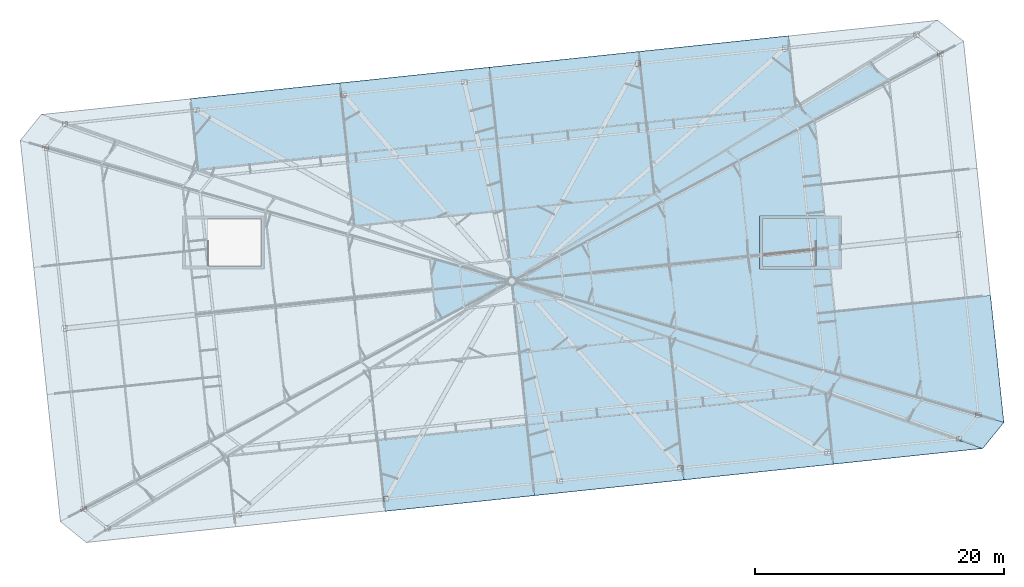
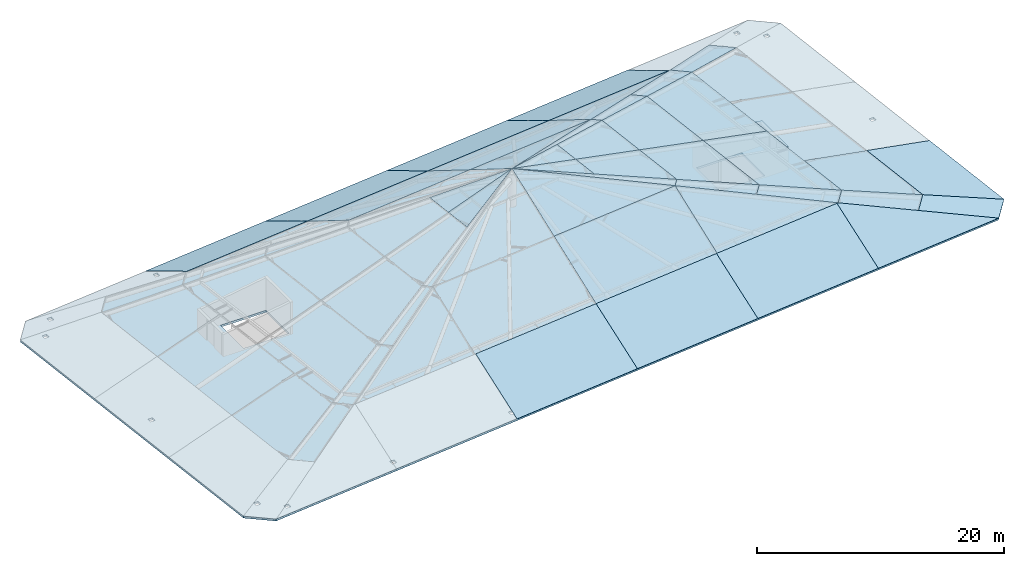
# One storey, part 5 of 20: 36 plates, 2 slabs, 25 elements without a shape of their own.
"""IFC4 building model written with IfcOpenShell, lengths in metres."""

from ifc_helpers import new_model, si_unit, direction, frame, origin, place, context, subcontext, project, spatial, polyline, outline, extrude, material, layer, layer_set, type_object, element, aggregate, save


model = new_model("IFC4")

# Units and contexts
model_context = context("Model", 3, precision=1e-05, world=origin(), true_north=direction((0.0, 1.0)))
body_context = subcontext(model_context, "Body", "Model", "MODEL_VIEW")
ifc_project = project(units=[si_unit("LENGTHUNIT", "METRE"), si_unit("AREAUNIT", "SQUARE_METRE"), si_unit("VOLUMEUNIT", "CUBIC_METRE"), si_unit("PLANEANGLEUNIT", "RADIAN"), si_unit("MASSUNIT", "GRAM", prefix="KILO")], contexts=[model_context])

# Site, building, storey
site_placement = place(None, origin())
site = spatial("IfcSite", under=ifc_project, at=site_placement, CompositionType="ELEMENT")
building_placement = place(site_placement, origin())
building = spatial("IfcBuilding", under=site, at=building_placement, Name="Hakoniwa Tower and Hamabe Station Hall", CompositionType="ELEMENT")
storey_placement = place(building_placement, frame((0.0, 0.0, 285.0)))
storey = spatial("IfcBuildingStorey", under=building, at=storey_placement, Name="Roof", CompositionType="ELEMENT", Elevation=285.0)

# Slab
ifc_material_1 = material(Name="Concrete C40", Category="concrete")
ifc_layer_1 = layer(ifc_material_1, 0.199951171875)
ifc_layer_set_1 = layer_set([ifc_layer_1], Name="CROWN ROOF SLAB 200")
slab_type_1 = type_object("IfcSlabType", Name="CROWN ROOF SLAB 200", PredefinedType="ROOF", material=ifc_layer_set_1)
slab_1_placement = place(storey_placement, frame((0.0, 0.0, -0.199951171875)))
element("IfcSlab", 1, at=slab_1_placement, inside=storey, type_object=slab_type_1, Name="Roof slab L78-1", PredefinedType="ROOF", context=body_context, shape_type="SweptSolid", body=[
    extrude(outline(polyline([(36.25390625, 21.772705078125), (34.17431640625, 23.45703125), (-37.78466796875, 15.893798828125), (-39.46875, 13.81396484375), (-36.25390625, -16.772705078125), (-34.17431640625, -18.45703125), (37.78466796875, -10.893798828125), (39.46875, -8.81396484375), (36.25390625, 21.772705078125)]), holes=[polyline([(34.180419921875, 20.572509765625), (34.180419921875, 20.988037109375), (34.59619140625, 20.988037109375), (34.59619140625, 20.572509765625), (34.180419921875, 20.572509765625)]), polyline([(32.267578125, 22.12158203125), (32.267578125, 22.537353515625), (32.68310546875, 22.537353515625), (32.68310546875, 22.12158203125), (32.267578125, 22.12158203125)]), polyline([(21.708984375, 21.011962890625), (21.708984375, 21.427490234375), (22.12451171875, 21.427490234375), (22.12451171875, 21.011962890625), (21.708984375, 21.011962890625)]), polyline([(9.897216796875, 19.7705078125), (9.897216796875, 20.18603515625), (10.31298828125, 20.18603515625), (10.31298828125, 19.7705078125), (9.897216796875, 19.7705078125)]), polyline([(-4.04052734375, 18.305419921875), (-4.04052734375, 18.72119140625), (-3.625, 18.72119140625), (-3.625, 18.305419921875), (-4.04052734375, 18.305419921875)]), polyline([(-13.72607421875, 17.28759765625), (-13.72607421875, 17.703125), (-13.310302734375, 17.703125), (-13.310302734375, 17.28759765625), (-13.72607421875, 17.28759765625)]), polyline([(-25.53759765625, 16.046142578125), (-25.53759765625, 16.461669921875), (-25.1220703125, 16.461669921875), (-25.1220703125, 16.046142578125), (-25.53759765625, 16.046142578125)]), polyline([(-36.09619140625, 14.936279296875), (-36.09619140625, 15.351806640625), (-35.6806640625, 15.351806640625), (-35.6806640625, 14.936279296875), (-36.09619140625, 14.936279296875)]), polyline([(-37.6455078125, 13.023193359375), (-37.6455078125, 13.43896484375), (-37.229736328125, 13.43896484375), (-37.229736328125, 13.023193359375), (-37.6455078125, 13.023193359375)]), polyline([(-36.120849609375, -1.482421875), (-36.120849609375, -1.06689453125), (-35.705078125, -1.06689453125), (-35.705078125, -1.482421875), (-36.120849609375, -1.482421875)]), polyline([(-34.59619140625, -15.988037109375), (-34.59619140625, -15.572509765625), (-34.180419921875, -15.572509765625), (-34.180419921875, -15.988037109375), (-34.59619140625, -15.988037109375)]), polyline([(-32.68310546875, -17.537353515625), (-32.68310546875, -17.12158203125), (-32.267578125, -17.12158203125), (-32.267578125, -17.537353515625), (-32.68310546875, -17.537353515625)]), polyline([(-22.12451171875, -16.427490234375), (-22.12451171875, -16.011962890625), (-21.708984375, -16.011962890625), (-21.708984375, -16.427490234375), (-22.12451171875, -16.427490234375)]), polyline([(-10.31298828125, -15.18603515625), (-10.31298828125, -14.7705078125), (-9.897216796875, -14.7705078125), (-9.897216796875, -15.18603515625), (-10.31298828125, -15.18603515625)]), polyline([(3.625, -13.72119140625), (3.625, -13.305419921875), (4.04052734375, -13.305419921875), (4.04052734375, -13.72119140625), (3.625, -13.72119140625)]), polyline([(13.310302734375, -12.703125), (13.310302734375, -12.28759765625), (13.72607421875, -12.28759765625), (13.72607421875, -12.703125), (13.310302734375, -12.703125)]), polyline([(25.1220703125, -11.461669921875), (25.1220703125, -11.046142578125), (25.53759765625, -11.046142578125), (25.53759765625, -11.461669921875), (25.1220703125, -11.461669921875)]), polyline([(35.6806640625, -10.351806640625), (35.6806640625, -9.936279296875), (36.09619140625, -9.936279296875), (36.09619140625, -10.351806640625), (35.6806640625, -10.351806640625)]), polyline([(37.229736328125, -8.43896484375), (37.229736328125, -8.023193359375), (37.6455078125, -8.023193359375), (37.6455078125, -8.43896484375), (37.229736328125, -8.43896484375)]), polyline([(35.705078125, 6.06689453125), (35.705078125, 6.482421875), (36.120849609375, 6.482421875), (36.120849609375, 6.06689453125), (35.705078125, 6.06689453125)]), polyline([(-20.14990234375, 3.75), (-24.389892578125, 3.75), (-24.389892578125, 7.5), (-20.14990234375, 7.5), (-20.14990234375, 3.75)]), polyline([(24.389892578125, 3.75), (20.14990234375, 3.75), (20.14990234375, 7.5), (24.389892578125, 7.5), (24.389892578125, 3.75)])]), origin(), (0.0, 0.0, 1.0), 0.199951171875),
])

# Curtain wall, plate
ifc_material_2 = material(Name="Dark low-e laminated glass", Category="glass")
ifc_layer_2 = layer(ifc_material_2, 0.199951171875)
ifc_layer_set_2 = layer_set([ifc_layer_2], Name="CW-4 CROWN FACETS")
curtain_wall_type = type_object("IfcCurtainWallType", Name="CW-4 CROWN FACETS", PredefinedType="NOTDEFINED", material=ifc_layer_set_2)
curtain_wall_1_placement = place(storey_placement, origin())
curtain_wall_1 = element("IfcCurtainWall", 2, at=curtain_wall_1_placement, inside=storey, type_object=curtain_wall_type, Name="Crown tent facet", PredefinedType="NOTDEFINED")
ifc_material_3 = material(Name="Dark low-e laminated glass", Category="glass")
ifc_layer_3 = layer(ifc_material_3, 0.030029296875)
ifc_layer_set_3 = layer_set([ifc_layer_3], Name="CW-4 CROWN GLASS FACET")
plate_type = type_object("IfcPlateType", Name="CW-4 CROWN GLASS FACET", PredefinedType="CURTAIN_PANEL", material=ifc_layer_set_3)
plate_1_placement = place(storey_placement, frame((24.309326171875, 15.423095703125, 3.199951171875), z_axis=(0.156275623419, 0.192977055734, 0.968678370505), x_axis=(-0.777155511873, 0.629308597027, 8.611639e-06)))
plate_1 = element("IfcPlate", 3, at=plate_1_placement, type_object=plate_type, Name="Crown glass facet", PredefinedType="CURTAIN_PANEL", context=body_context, shape_type="SweptSolid", body=[
    extrude(outline(polyline([(0.0, 0.0), (1.8097943137275903, 1.1102230246251565e-16), (-0.39429205688957825, -6.442727154376696), (-2.64966305367849, -6.442586175356202), (0.0, 0.0)])), origin(), (0.0, 0.0, -1.0), 0.030029296875),
])
aggregate(curtain_wall_1, [plate_1])

# Curtain wall, plates
curtain_wall_2_placement = place(storey_placement, origin())
curtain_wall_2 = element("IfcCurtainWall", 4, at=curtain_wall_2_placement, inside=storey, type_object=curtain_wall_type, Name="Crown tent facet", PredefinedType="NOTDEFINED")
plate_2_placement = place(storey_placement, frame((-1.211669921875, 14.027587890625, 3.199951171875), z_axis=(-0.051104989072, 0.486271714197, 0.872311928191), x_axis=(-0.091170205386, 0.86753449137, -0.488949792855)))
plate_2 = element("IfcPlate", 5, at=plate_2_placement, type_object=plate_type, Name="Crown glass facet", PredefinedType="CURTAIN_PANEL", context=body_context, shape_type="SweptSolid", body=[
    extrude(outline(polyline([(0.0, 0.0), (6.54464527544407, -4.6059957605794344e-17), (6.544584985052724, -12.063375354491209), (0.00015151002158542148, -12.06340087124694), (0.0, 0.0)])), origin(), (0.0, 0.0, -1.0), 0.030029296875),
])
plate_3_placement = place(storey_placement, frame((-25.2060546875, 11.505615234375, 3.199951171875), z_axis=(-0.051109483138, 0.486262450367, 0.872316828966), x_axis=(-0.091170717622, 0.867539365325, -0.488941049473)))
plate_3 = element("IfcPlate", 6, at=plate_3_placement, type_object=plate_type, Name="Crown glass facet", PredefinedType="CURTAIN_PANEL", context=body_context, shape_type="SweptSolid", body=[
    extrude(outline(polyline([(0.0, 0.0), (6.544645275710288, -7.598901976407779e-17), (6.544819044740286, -12.063158067958506), (0.00015151055401529945, -12.063400871391359), (0.0, 0.0)])), origin(), (0.0, 0.0, -1.0), 0.030029296875),
])
aggregate(curtain_wall_2, [plate_2, plate_3])

curtain_wall_3_placement = place(storey_placement, origin())
curtain_wall_3 = element("IfcCurtainWall", 7, at=curtain_wall_3_placement, inside=storey, type_object=curtain_wall_type, Name="Crown tent facet", PredefinedType="NOTDEFINED")
plate_4_placement = place(storey_placement, frame((10.78564453125, 15.28857421875, 3.199951171875), z_axis=(-0.051111137212, 0.486278187451, 0.872307959417), x_axis=(-0.091173668223, 0.867530136829, -0.488956873267)))
plate_4 = element("IfcPlate", 8, at=plate_4_placement, type_object=plate_type, Name="Crown glass facet", PredefinedType="CURTAIN_PANEL", context=body_context, shape_type="SweptSolid", body=[
    extrude(outline(polyline([(0.0, 0.0), (6.544433475347111, 4.975640938761211e-17), (6.54456020880297, -12.063158068544356), (0.00010447425951642941, -12.063400871890416), (0.0, 0.0)])), origin(), (0.0, 0.0, -1.0), 0.030029296875),
])
plate_5_placement = place(storey_placement, frame((-13.208740234375, 12.7666015625, 3.199951171875), z_axis=(-0.051109483138, 0.486262450367, 0.872316828966), x_axis=(-0.09120761379, 0.867535487123, -0.488941049381)))
plate_5 = element("IfcPlate", 9, at=plate_5_placement, type_object=plate_type, Name="Crown glass facet", PredefinedType="CURTAIN_PANEL", context=body_context, shape_type="SweptSolid", body=[
    extrude(outline(polyline([(0.0, 0.0), (6.544667538690205, -9.032759349519859e-17), (6.5443715039522985, -12.06340086871048), (-0.0002737672540709113, -12.063158066103568), (0.0, 0.0)])), origin(), (0.0, 0.0, -1.0), 0.030029296875),
])
aggregate(curtain_wall_3, [plate_4, plate_5])

curtain_wall_4_placement = place(storey_placement, origin())
curtain_wall_4 = element("IfcCurtainWall", 10, at=curtain_wall_4_placement, inside=storey, type_object=curtain_wall_type, Name="Crown tent facet", PredefinedType="NOTDEFINED")
plate_6_placement = place(storey_placement, frame((1.211669921875, -9.027587890625, 3.199951171875), z_axis=(0.051104989072, -0.486271714197, 0.872311928191), x_axis=(0.091170205386, -0.86753449137, -0.488949792855)))
plate_6 = element("IfcPlate", 11, at=plate_6_placement, type_object=plate_type, Name="Crown glass facet", PredefinedType="CURTAIN_PANEL", context=body_context, shape_type="SweptSolid", body=[
    extrude(outline(polyline([(0.0, 0.0), (6.54464527544407, -4.6059957605794344e-17), (6.544584985052724, -12.063375354491209), (0.00015151002158542148, -12.06340087124694), (0.0, 0.0)])), origin(), (0.0, 0.0, -1.0), 0.030029296875),
])
plate_7_placement = place(storey_placement, frame((25.2060546875, -6.505615234375, 3.199951171875), z_axis=(0.051109483138, -0.486262450367, 0.872316828966), x_axis=(0.091170717622, -0.867539365325, -0.488941049473)))
plate_7 = element("IfcPlate", 12, at=plate_7_placement, type_object=plate_type, Name="Crown glass facet", PredefinedType="CURTAIN_PANEL", context=body_context, shape_type="SweptSolid", body=[
    extrude(outline(polyline([(0.0, 0.0), (6.544645275710288, -7.598901976407779e-17), (6.544819044740286, -12.063158067958506), (0.00015151055401529945, -12.063400871391359), (0.0, 0.0)])), origin(), (0.0, 0.0, -1.0), 0.030029296875),
])
aggregate(curtain_wall_4, [plate_6, plate_7])

curtain_wall_5_placement = place(storey_placement, origin())
curtain_wall_5 = element("IfcCurtainWall", 13, at=curtain_wall_5_placement, inside=storey, type_object=curtain_wall_type, Name="Crown tent facet", PredefinedType="NOTDEFINED")
plate_8_placement = place(storey_placement, frame((13.208740234375, -7.7666015625, 3.199951171875), z_axis=(0.051109483138, -0.486262450367, 0.872316828966), x_axis=(0.09120761379, -0.867535487123, -0.488941049381)))
plate_8 = element("IfcPlate", 14, at=plate_8_placement, type_object=plate_type, Name="Crown glass facet", PredefinedType="CURTAIN_PANEL", context=body_context, shape_type="SweptSolid", body=[
    extrude(outline(polyline([(0.0, 0.0), (6.544667538690205, -9.032759349519859e-17), (6.5443715039522985, -12.06340086871048), (-0.0002737672540709113, -12.063158066103568), (0.0, 0.0)])), origin(), (0.0, 0.0, -1.0), 0.030029296875),
])
plate_9_placement = place(storey_placement, frame((25.326171875, -6.492919921875, 3.199951171875), z_axis=(0.051111374717, -0.486258551143, 0.872318891699), x_axis=(0.915966253191, -0.325256224593, -0.234977044365)))
plate_9 = element("IfcPlate", 15, at=plate_9_placement, type_object=plate_type, Name="Crown glass facet", PredefinedType="CURTAIN_PANEL", context=body_context, shape_type="SweptSolid", body=[
    extrude(outline(polyline([(0.0, 0.0), (13.618269428119445, 6.661338147750939e-16), (3.0392779124844047, -5.79746316226815), (-0.10589406076444983, -0.05810126023931689), (0.0, 0.0)])), origin(), (0.0, 0.0, -1.0), 0.030029296875),
])
aggregate(curtain_wall_5, [plate_8, plate_9])

# Curtain wall, plate
curtain_wall_6_placement = place(storey_placement, origin())
curtain_wall_6 = element("IfcCurtainWall", 16, at=curtain_wall_6_placement, inside=storey, type_object=curtain_wall_type, Name="Crown tent facet", PredefinedType="NOTDEFINED")
plate_10_placement = place(storey_placement, frame((31.56298828125, -8.707763671875, 1.60009765625), z_axis=(0.193009015003, -0.156298401869, 0.968668328016), x_axis=(0.629305512859, 0.777158009309, 7.141435e-06)))
plate_10 = element("IfcPlate", 17, at=plate_10_placement, type_object=plate_type, Name="Crown glass facet", PredefinedType="CURTAIN_PANEL", context=body_context, shape_type="SweptSolid", body=[
    extrude(outline(polyline([(0.0, 0.0), (2.255560732081574, 4.440892098500626e-16), (4.905048749923688, -6.442848716333062), (2.2039113353528084, -6.4427061884267385), (0.0, 0.0)])), origin(), (0.0, 0.0, -1.0), 0.030029296875),
])
aggregate(curtain_wall_6, [plate_10])

curtain_wall_7_placement = place(storey_placement, origin())
curtain_wall_7 = element("IfcCurtainWall", 18, at=curtain_wall_7_placement, inside=storey, type_object=curtain_wall_type, Name="Crown tent facet", PredefinedType="NOTDEFINED")
plate_11_placement = place(storey_placement, frame((25.326171875, -6.492919921875, 3.199951171875), z_axis=(0.192987069793, -0.156271656314, 0.968677015483), x_axis=(0.629306785911, 0.777156978484, -4.79386e-07)))
plate_11 = element("IfcPlate", 19, at=plate_11_placement, type_object=plate_type, Name="Crown glass facet", PredefinedType="CURTAIN_PANEL", context=body_context, shape_type="SweptSolid", body=[
    extrude(outline(polyline([(0.0, 0.0), (1.8097943137988861, 1.1102230246251565e-16), (4.459151109448764, -6.442595076379921), (2.203590377319723, -6.4426029244882095), (0.0, 0.0)])), origin(), (0.0, 0.0, -1.0), 0.030029296875),
])
aggregate(curtain_wall_7, [plate_11])

curtain_wall_8_placement = place(storey_placement, origin())
curtain_wall_8 = element("IfcCurtainWall", 20, at=curtain_wall_8_placement, inside=storey, type_object=curtain_wall_type, Name="Crown tent facet", PredefinedType="NOTDEFINED")
plate_12_placement = place(storey_placement, frame((39.5, -8.8232421875, 0.0), z_axis=(0.24531355879, 0.025782289242, 0.969100888161), x_axis=(-0.935578747374, 0.26820468975, 0.229692515896)))
plate_12 = element("IfcPlate", 21, at=plate_12_placement, type_object=plate_type, Name="Crown glass facet", PredefinedType="CURTAIN_PANEL", context=body_context, shape_type="SweptSolid", body=[
    extrude(outline(polyline([(0.0, 0.0), (6.966353876887034, -4.718447854656915e-16), (9.780593440532725, -7.18931303128879), (3.740139757151904, -9.5540744229771), (0.0, 0.0)])), origin(), (0.0, 0.0, -1.0), 0.030029296875),
])
aggregate(curtain_wall_8, [plate_12])

curtain_wall_9_placement = place(storey_placement, origin())
curtain_wall_9 = element("IfcCurtainWall", 22, at=curtain_wall_9_placement, inside=storey, type_object=curtain_wall_type, Name="Crown tent facet", PredefinedType="NOTDEFINED")
plate_13_placement = place(storey_placement, frame((25.92333984375, 0.06640625, 3.199951171875), z_axis=(0.245279029764, 0.025780526684, 0.969109674909), x_axis=(0.963803194097, 0.101276675948, -0.246630164331)))
plate_13 = element("IfcPlate", 23, at=plate_13_placement, type_object=plate_type, Name="Crown glass facet", PredefinedType="CURTAIN_PANEL", context=body_context, shape_type="SweptSolid", body=[
    extrude(outline(polyline([(0.0, 0.0), (6.486996826039873, 5.816067029026928e-17), (6.487050072599642, -7.7205029745325255), (0.00027679812774172863, -5.1812323640813425), (0.0, 0.0)])), origin(), (0.0, 0.0, -1.0), 0.030029296875),
])
aggregate(curtain_wall_9, [plate_13])

# Curtain wall, plates
curtain_wall_10_placement = place(storey_placement, origin())
curtain_wall_10 = element("IfcCurtainWall", 24, at=curtain_wall_10_placement, inside=storey, type_object=curtain_wall_type, Name="Crown tent facet", PredefinedType="NOTDEFINED")
plate_14_placement = place(storey_placement, frame((18.23193359375, 12.1923828125, 4.89990234375), z_axis=(0.163090639007, 0.201410845502, 0.965833896062), x_axis=(-0.777168973, 0.629291973092, 2.85355e-06)))
plate_14 = element("IfcPlate", 25, at=plate_14_placement, type_object=plate_type, Name="Crown glass facet", PredefinedType="CURTAIN_PANEL", context=body_context, shape_type="SweptSolid", body=[
    extrude(outline(polyline([(0.0, 0.0), (1.3570882044032484, 0.0), (-0.8803097964628562, -6.559408330084827), (-2.6901041099216045, -6.559373460539153), (0.0, 0.0)])), origin(), (0.0, 0.0, -1.0), 0.030029296875),
])
plate_15_placement = place(storey_placement, frame((11.451416015625, 9.531005859375, 6.60009765625), z_axis=(0.163089017348, 0.20141353772, 0.965833608467), x_axis=(0.777169454847, -0.629291378022, 0.0)))
plate_15 = element("IfcPlate", 26, at=plate_15_placement, type_object=plate_type, Name="Crown glass facet", PredefinedType="CURTAIN_PANEL", context=body_context, shape_type="SweptSolid", body=[
    extrude(outline(polyline([(0.0, 0.0), (0.9047254696061142, 0.0), (-4.475139375963145, -13.11878179063206), (0.0, 0.0)])), origin(), (0.0, 0.0, -1.0), 0.030029296875),
])
aggregate(curtain_wall_10, [plate_14, plate_15])

# Curtain wall, plate
curtain_wall_11_placement = place(storey_placement, origin())
curtain_wall_11 = element("IfcCurtainWall", 27, at=curtain_wall_11_placement, inside=storey, type_object=curtain_wall_type, Name="Crown tent facet", PredefinedType="NOTDEFINED")
plate_16_placement = place(storey_placement, frame((12.154541015625, 8.961669921875, 6.60009765625), z_axis=(0.163111299641, 0.20144105616, 0.965824106565), x_axis=(-0.777169454847, 0.629291378022, 0.0)))
plate_16 = element("IfcPlate", 28, at=plate_16_placement, type_object=plate_type, Name="Crown glass facet", PredefinedType="CURTAIN_PANEL", context=body_context, shape_type="SweptSolid", body=[
    extrude(outline(polyline([(0.0, 0.0), (0.9047254696061142, 5.551115123125783e-17), (-1.3330159054888453, -6.559436737163957), (-2.690104109898017, -6.559436737163957), (0.0, 0.0)])), origin(), (0.0, 0.0, -1.0), 0.030029296875),
])
aggregate(curtain_wall_11, [plate_16])

# Curtain wall, plates
curtain_wall_12_placement = place(storey_placement, origin())
curtain_wall_12 = element("IfcCurtainWall", 29, at=curtain_wall_12_placement, inside=storey, type_object=curtain_wall_type, Name="Crown tent facet", PredefinedType="NOTDEFINED")
plate_17_placement = place(storey_placement, frame((11.451416015625, 9.531005859375, 6.60009765625), z_axis=(-0.05289816095, 0.503261139797, 0.862513773651), x_axis=(-0.090146429737, 0.857789969056, -0.506033586032)))
plate_17 = element("IfcPlate", 30, at=plate_17_placement, type_object=plate_type, Name="Crown glass facet", PredefinedType="CURTAIN_PANEL", context=body_context, shape_type="SweptSolid", body=[
    extrude(outline(polyline([(0.0, 0.0), (6.71921109236367, 1.9535967895473183e-17), (6.719410347828714, -12.12355116499198), (0.0, 0.0)])), origin(), (0.0, 0.0, -1.0), 0.030029296875),
])
plate_18_placement = place(storey_placement, frame((-12.6630859375, 6.99658203125, 6.60009765625), z_axis=(-0.0528916809, 0.503253058234, 0.862518886442), x_axis=(-0.090146964142, 0.857795053808, -0.506024871443)))
plate_18 = element("IfcPlate", 31, at=plate_18_placement, type_object=plate_type, Name="Crown glass facet", PredefinedType="CURTAIN_PANEL", context=body_context, shape_type="SweptSolid", body=[
    extrude(outline(polyline([(0.0, 0.0), (6.719211092020707, 1.7826316594735103e-16), (6.719410348171688, -12.123551164801887), (-3.217500574415055e-05, -12.123768451187031), (0.0, 0.0)])), origin(), (0.0, 0.0, -1.0), 0.030029296875),
])
aggregate(curtain_wall_12, [plate_17, plate_18])

# Curtain wall, plate
curtain_wall_13_placement = place(storey_placement, origin())
curtain_wall_13 = element("IfcCurtainWall", 32, at=curtain_wall_13_placement, inside=storey, type_object=curtain_wall_type, Name="Crown tent facet", PredefinedType="NOTDEFINED")
plate_19_placement = place(storey_placement, frame((10.845703125, 15.294677734375, 3.199951171875), z_axis=(-0.0528916809, 0.503253058234, 0.862518886442), x_axis=(0.090146964142, -0.857795053808, 0.506024871443)))
plate_19 = element("IfcPlate", 33, at=plate_19_placement, type_object=plate_type, Name="Crown glass facet", PredefinedType="CURTAIN_PANEL", context=body_context, shape_type="SweptSolid", body=[
    extrude(outline(polyline([(0.0, 0.0), (6.719211092020707, 1.7826316594735103e-16), (6.719410348171688, -12.123551164801887), (-3.217500574415055e-05, -12.123768451187031), (0.0, 0.0)])), origin(), (0.0, 0.0, -1.0), 0.030029296875),
])
aggregate(curtain_wall_13, [plate_19])

curtain_wall_14_placement = place(storey_placement, origin())
curtain_wall_14 = element("IfcCurtainWall", 34, at=curtain_wall_14_placement, inside=storey, type_object=curtain_wall_type, Name="Crown tent facet", PredefinedType="NOTDEFINED")
plate_20_placement = place(storey_placement, frame((0.0, 2.5, 10.0), z_axis=(-0.052895335244, 0.503234256664, 0.862529632204), x_axis=(-0.090148087208, 0.857805740754, -0.506006554801)))
plate_20 = element("IfcPlate", 35, at=plate_20_placement, type_object=plate_type, Name="Crown glass facet", PredefinedType="CURTAIN_PANEL", context=body_context, shape_type="SweptSolid", body=[
    extrude(outline(polyline([(0.0, 0.0), (6.719087552307385, -2.6491802458325497e-17), (6.719286811436027, -12.123551164991916), (0.0, 0.0)])), origin(), (0.0, 0.0, -1.0), 0.030029296875),
])
aggregate(curtain_wall_14, [plate_20])

curtain_wall_15_placement = place(storey_placement, origin())
curtain_wall_15 = element("IfcCurtainWall", 36, at=curtain_wall_15_placement, inside=storey, type_object=curtain_wall_type, Name="Crown tent facet", PredefinedType="NOTDEFINED")
plate_21_placement = place(storey_placement, frame((0.0, 2.5, 10.0), z_axis=(-0.255994885916, -0.026913470531, 0.966303411713), x_axis=(-0.961011013827, -0.100995618163, -0.257405742779)))
plate_21 = element("IfcPlate", 37, at=plate_21_placement, type_object=plate_type, Name="Crown glass facet", PredefinedType="CURTAIN_PANEL", context=body_context, shape_type="SweptSolid", body=[
    extrude(outline(polyline([(0.0, 0.0), (6.604169563288811, -7.50064615452628e-17), (6.604267505898991, -2.577850059403291), (0.0, 0.0)])), origin(), (0.0, 0.0, -1.0), 0.030029296875),
])
aggregate(curtain_wall_15, [plate_21])

curtain_wall_16_placement = place(storey_placement, origin())
curtain_wall_16 = element("IfcCurtainWall", 38, at=curtain_wall_16_placement, inside=storey, type_object=curtain_wall_type, Name="Crown tent facet", PredefinedType="NOTDEFINED")
plate_22_placement = place(storey_placement, frame((-6.077392578125, -0.730712890625, 8.300048828125), z_axis=(-0.255997419906, -0.026889358552, 0.966303411666), x_axis=(-0.104462931651, 0.994528780836, 0.0)))
plate_22 = element("IfcPlate", 39, at=plate_22_placement, type_object=plate_type, Name="Crown glass facet", PredefinedType="CURTAIN_PANEL", context=body_context, shape_type="SweptSolid", body=[
    extrude(outline(polyline([(0.0, 0.0), (2.5778245461837175, 0.0), (2.5781747068421748, -6.604169554005851), (0.0, 0.0)])), origin(), (0.0, 0.0, -1.0), 0.030029296875),
])
aggregate(curtain_wall_16, [plate_22])

curtain_wall_17_placement = place(storey_placement, origin())
curtain_wall_17 = element("IfcCurtainWall", 40, at=curtain_wall_17_placement, inside=storey, type_object=curtain_wall_type, Name="Crown tent facet", PredefinedType="NOTDEFINED")
plate_23_placement = place(storey_placement, frame((12.6630859375, -1.99658203125, 6.60009765625), z_axis=(0.0528916809, -0.503253058234, 0.862518886442), x_axis=(0.090146964142, -0.857795053808, -0.506024871443)))
plate_23 = element("IfcPlate", 41, at=plate_23_placement, type_object=plate_type, Name="Crown glass facet", PredefinedType="CURTAIN_PANEL", context=body_context, shape_type="SweptSolid", body=[
    extrude(outline(polyline([(0.0, 0.0), (6.719211092020707, 1.7826316594735103e-16), (6.719410348171688, -12.123551164801887), (-3.217500574415055e-05, -12.123768451187031), (0.0, 0.0)])), origin(), (0.0, 0.0, -1.0), 0.030029296875),
])
aggregate(curtain_wall_17, [plate_23])

curtain_wall_18_placement = place(storey_placement, origin())
curtain_wall_18 = element("IfcCurtainWall", 42, at=curtain_wall_18_placement, inside=storey, type_object=curtain_wall_type, Name="Crown tent facet", PredefinedType="NOTDEFINED")
plate_24_placement = place(storey_placement, frame((25.325927734375, -6.492919921875, 3.199951171875), z_axis=(0.05289816095, -0.503261139797, 0.862513773651), x_axis=(-0.994521220766, -0.104534881485, 0.0)))
plate_24 = element("IfcPlate", 43, at=plate_24_placement, type_object=plate_type, Name="Crown glass facet", PredefinedType="CURTAIN_PANEL", context=body_context, shape_type="SweptSolid", body=[
    extrude(outline(polyline([(0.0, 0.0), (12.123551166629401, 0.0), (12.123440733678484, -6.719211091456167), (0.0, 0.0)])), origin(), (0.0, 0.0, -1.0), 0.030029296875),
])
aggregate(curtain_wall_18, [plate_24])

curtain_wall_19_placement = place(storey_placement, origin())
curtain_wall_19 = element("IfcCurtainWall", 44, at=curtain_wall_19_placement, inside=storey, type_object=curtain_wall_type, Name="Crown tent facet", PredefinedType="NOTDEFINED")
plate_25_placement = place(storey_placement, frame((12.6630859375, -1.99658203125, 6.60009765625), z_axis=(0.052884197602, -0.503235427159, 0.862529632243), x_axis=(-0.994523534097, -0.104512870633, 0.0)))
plate_25 = element("IfcPlate", 45, at=plate_25_placement, type_object=plate_type, Name="Crown glass facet", PredefinedType="CURTAIN_PANEL", context=body_context, shape_type="SweptSolid", body=[
    extrude(outline(polyline([(0.0, 0.0), (12.123768451419803, 2.220446049250313e-16), (12.123786283008014, -6.719087552283725), (0.0, 0.0)])), origin(), (0.0, 0.0, -1.0), 0.030029296875),
])
aggregate(curtain_wall_19, [plate_25])

# Curtain wall, plates
curtain_wall_20_placement = place(storey_placement, origin())
curtain_wall_20 = element("IfcCurtainWall", 46, at=curtain_wall_20_placement, inside=storey, type_object=curtain_wall_type, Name="Crown tent facet", PredefinedType="NOTDEFINED")
plate_26_placement = place(storey_placement, frame((25.326171875, -6.492919921875, 3.199951171875), z_axis=(0.201402521928, -0.163103877494, 0.965833396248), x_axis=(-0.913564037287, 0.324400515281, 0.245285660939)))
plate_26 = element("IfcPlate", 47, at=plate_26_placement, type_object=plate_type, Name="Crown glass facet", PredefinedType="CURTAIN_PANEL", context=body_context, shape_type="SweptSolid", body=[
    extrude(outline(polyline([(0.0, 0.0), (6.93059036751174, -6.38378239159465e-16), (6.492321241424575, -1.284533230704624), (-0.5842052894066562, -1.7129096991693784), (0.0, 0.0)])), origin(), (0.0, 0.0, -1.0), 0.030029296875),
])
plate_27_placement = place(storey_placement, frame((13.232421875, -1.293212890625, 6.60009765625), z_axis=(0.201423088039, -0.163040139294, 0.965839869017), x_axis=(-0.629159421909, -0.777276284099, 0.0)))
plate_27 = element("IfcPlate", 48, at=plate_27_placement, type_object=plate_type, Name="Crown glass facet", PredefinedType="CURTAIN_PANEL", context=body_context, shape_type="SweptSolid", body=[
    extrude(outline(polyline([(0.0, 0.0), (0.9049152212845991, 5.551115123125783e-17), (5.376928476907325, -13.11996298824208), (0.0, 0.0)])), origin(), (0.0, 0.0, -1.0), 0.030029296875),
])
aggregate(curtain_wall_20, [plate_26, plate_27])

# Curtain wall, plate
curtain_wall_21_placement = place(storey_placement, origin())
curtain_wall_21 = element("IfcCurtainWall", 49, at=curtain_wall_21_placement, inside=storey, type_object=curtain_wall_type, Name="Crown tent facet", PredefinedType="NOTDEFINED")
plate_28_placement = place(storey_placement, frame((12.6630859375, -1.99658203125, 6.60009765625), z_axis=(0.201431674099, -0.163109025367, 0.965826447408), x_axis=(0.629169119863, 0.777268432685, 4.6496344e-05)))
plate_28 = element("IfcPlate", 50, at=plate_28_placement, type_object=plate_type, Name="Crown glass facet", PredefinedType="CURTAIN_PANEL", context=body_context, shape_type="SweptSolid", body=[
    extrude(outline(polyline([(0.0, 0.0), (0.9049152202359811, 0.0), (3.5934381849179373, -6.560302220931442), (2.2361963930232345, -6.559896409845498), (0.0, 0.0)])), origin(), (0.0, 0.0, -1.0), 0.030029296875),
])
aggregate(curtain_wall_21, [plate_28])

# Curtain wall, plates
curtain_wall_22_placement = place(storey_placement, origin())
curtain_wall_22 = element("IfcCurtainWall", 51, at=curtain_wall_22_placement, inside=storey, type_object=curtain_wall_type, Name="Crown tent facet", PredefinedType="NOTDEFINED")
plate_29_placement = place(storey_placement, frame((26.465087890625, -5.08642578125, 3.199951171875), z_axis=(0.25598476885, 0.026905808018, 0.966306305274), x_axis=(-0.93324742383, 0.26749826537, 0.239778906369)))
plate_29 = element("IfcPlate", 52, at=plate_29_placement, type_object=plate_type, Name="Crown glass facet", PredefinedType="CURTAIN_PANEL", context=body_context, shape_type="SweptSolid", body=[
    extrude(outline(polyline([(0.0, 0.0), (7.089708370030922, 6.661338147750939e-16), (9.901471083469906, -7.204262219466942), (3.749027591928061, -9.605427296718531), (0.0, 0.0)])), origin(), (0.0, 0.0, -1.0), 0.030029296875),
])
plate_30_placement = place(storey_placement, frame((6.6162109375, 0.603271484375, 8.300048828125), z_axis=(0.255988711874, 0.026904695585, 0.96630529169), x_axis=(-0.104554536044, 0.994519154633, 7.809016e-06)))
plate_30 = element("IfcPlate", 53, at=plate_30_placement, type_object=plate_type, Name="Crown glass facet", PredefinedType="CURTAIN_PANEL", context=body_context, shape_type="SweptSolid", body=[
    extrude(outline(polyline([(0.0, 0.0), (2.577850061179726, 0.0), (2.577816419066298, -6.604428846068678), (-2.5778581772833777, -6.604194224752342), (0.0, 0.0)])), origin(), (0.0, 0.0, -1.0), 0.030029296875),
])
aggregate(curtain_wall_22, [plate_29, plate_30])

curtain_wall_23_placement = place(storey_placement, origin())
curtain_wall_23 = element("IfcCurtainWall", 54, at=curtain_wall_23_placement, inside=storey, type_object=curtain_wall_type, Name="Crown tent facet", PredefinedType="NOTDEFINED")
plate_31_placement = place(storey_placement, frame((13.232421875, -1.293212890625, 6.60009765625), z_axis=(0.256028409116, 0.026907242386, 0.966294703511), x_axis=(-0.104510389369, 0.994523794843, -2.343054e-06)))
plate_31 = element("IfcPlate", 55, at=plate_31_placement, type_object=plate_type, Name="Crown glass facet", PredefinedType="CURTAIN_PANEL", context=body_context, shape_type="SweptSolid", body=[
    extrude(outline(polyline([(0.0, 0.0), (5.15567460171511, 0.0), (5.155724221466437, -6.604232410503109), (-2.5778004387221176, -6.604349720456542), (0.0, 0.0)])), origin(), (0.0, 0.0, -1.0), 0.030029296875),
])
plate_32_placement = place(storey_placement, frame((0.0, 2.5, 10.0), z_axis=(0.255994885916, 0.026913470531, 0.966303411713), x_axis=(0.961011013827, 0.100995618163, -0.257405742779)))
plate_32 = element("IfcPlate", 56, at=plate_32_placement, type_object=plate_type, Name="Crown glass facet", PredefinedType="CURTAIN_PANEL", context=body_context, shape_type="SweptSolid", body=[
    extrude(outline(polyline([(0.0, 0.0), (6.604169563288811, -7.50064615452628e-17), (6.604267505898991, -2.577850059403291), (0.0, 0.0)])), origin(), (0.0, 0.0, -1.0), 0.030029296875),
])
aggregate(curtain_wall_23, [plate_31, plate_32])

curtain_wall_24_placement = place(storey_placement, origin())
curtain_wall_24 = element("IfcCurtainWall", 57, at=curtain_wall_24_placement, inside=storey, type_object=curtain_wall_type, Name="Crown tent facet", PredefinedType="NOTDEFINED")
plate_33_placement = place(storey_placement, frame((24.309326171875, 15.423095703125, 3.199951171875), z_axis=(0.255987814807, 0.026905762134, 0.96630549964), x_axis=(0.104532965099, -0.994521422196, -8.3668e-07)))
plate_33 = element("IfcPlate", 58, at=plate_33_placement, type_object=plate_type, Name="Crown glass facet", PredefinedType="CURTAIN_PANEL", context=body_context, shape_type="SweptSolid", body=[
    extrude(outline(polyline([(0.0, 0.0), (10.311374721395552, -2.220446049250313e-16), (10.311248550973376, -6.604404184252161), (2.577723890112571, -6.604345528765267), (0.0, 0.0)])), origin(), (0.0, 0.0, -1.0), 0.030029296875),
])
plate_34_placement = place(storey_placement, frame((12.15478515625, 8.961669921875, 6.60009765625), z_axis=(0.255989556779, 0.026896658507, 0.966305291604), x_axis=(0.104508734182, -0.994523968773, -3.90454e-06)))
plate_34 = element("IfcPlate", 59, at=plate_34_placement, type_object=plate_type, Name="Crown glass facet", PredefinedType="CURTAIN_PANEL", context=body_context, shape_type="SweptSolid", body=[
    extrude(outline(polyline([(0.0, 0.0), (5.155674601688178, 0.0), (5.155941510089936, -6.6044288407610034), (2.578116966659688, -6.604311529522157), (0.0, 0.0)])), origin(), (0.0, 0.0, -1.0), 0.030029296875),
])
aggregate(curtain_wall_24, [plate_33, plate_34])

curtain_wall_25_placement = place(storey_placement, origin())
curtain_wall_25 = element("IfcCurtainWall", 60, at=curtain_wall_25_placement, inside=storey, type_object=curtain_wall_type, Name="Crown tent facet", PredefinedType="NOTDEFINED")
plate_35_placement = place(storey_placement, frame((18.23193359375, 12.1923828125, 4.89990234375), z_axis=(0.25603204737, 0.026907624748, 0.966293728868), x_axis=(0.104524966816, -0.994522262853, -1.562054e-06)))
plate_35 = element("IfcPlate", 61, at=plate_35_placement, type_object=plate_type, Name="Crown glass facet", PredefinedType="CURTAIN_PANEL", context=body_context, shape_type="SweptSolid", body=[
    extrude(outline(polyline([(0.0, 0.0), (7.7335246610782935, 0.0), (7.733474101167959, -6.604232410495977), (2.5777995000460048, -6.60415420406826), (0.0, 0.0)])), origin(), (0.0, 0.0, -1.0), 0.030029296875),
])
plate_36_placement = place(storey_placement, frame((6.077392578125, 5.730712890625, 8.300048828125), z_axis=(0.255997419906, 0.026889358552, 0.966303411666), x_axis=(0.104462931651, -0.994528780836, 0.0)))
plate_36 = element("IfcPlate", 62, at=plate_36_placement, type_object=plate_type, Name="Crown glass facet", PredefinedType="CURTAIN_PANEL", context=body_context, shape_type="SweptSolid", body=[
    extrude(outline(polyline([(0.0, 0.0), (2.5778245461837175, 0.0), (2.5781747068421748, -6.604169554005851), (0.0, 0.0)])), origin(), (0.0, 0.0, -1.0), 0.030029296875),
])
aggregate(curtain_wall_25, [plate_35, plate_36])

# Slab
ifc_material_4 = material(Name="Concrete C40", Category="concrete")
ifc_layer_4 = layer(ifc_material_4, 0.1201171875)
ifc_layer_set_4 = layer_set([ifc_layer_4], Name="STAIR HEAD-HOUSE ROOF 120")
slab_type_2 = type_object("IfcSlabType", Name="STAIR HEAD-HOUSE ROOF 120", PredefinedType="ROOF", material=ifc_layer_set_4)
slab_2_placement = place(storey_placement, frame((19.89990234375, 3.5, 3.3701171875), z_axis=(0.158290488557, 0.0, 0.987392587187), x_axis=(0.987392587187, 0.0, -0.158290488557)))
element("IfcSlab", 63, at=slab_2_placement, inside=storey, type_object=slab_type_2, Name="Stair head-house roof ST-3", PredefinedType="ROOF", context=body_context, shape_type="SweptSolid", body=[
    extrude(outline(polyline([(0.0, 0.0), (6.633682400617954, 0.0), (6.633682400617954, 4.25), (0.0, 4.25), (0.0, 0.0)])), origin(), (0.0, 0.0, -1.0), 0.1201171875),
])

save(model, "model.ifc")
